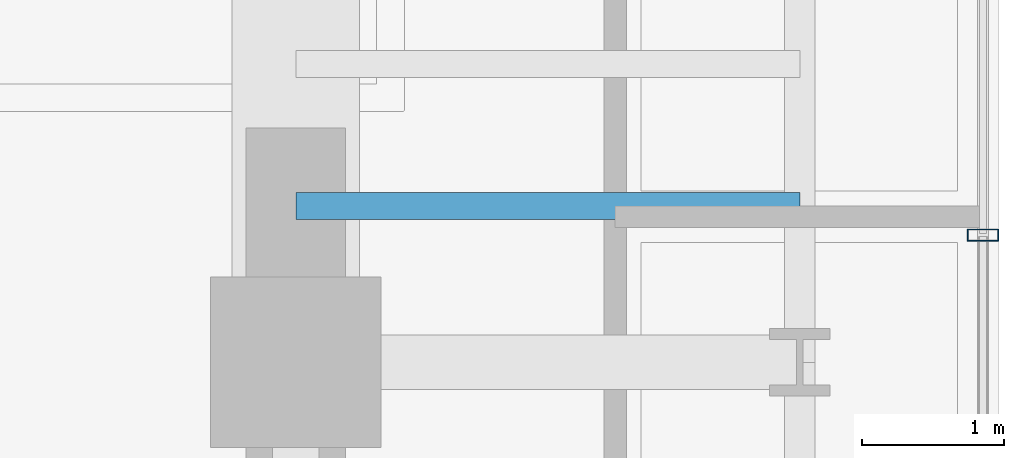
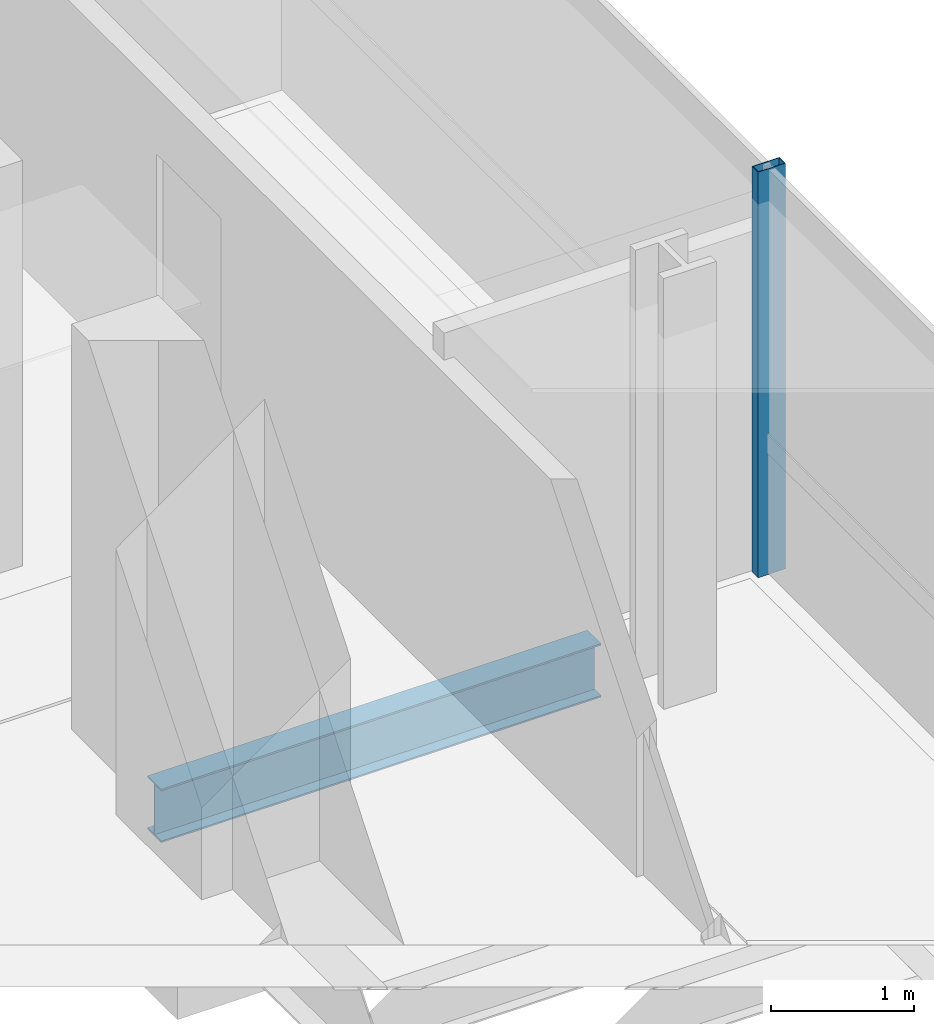
# One storey, part 12 of 35: 1 beam, 1 member, 1 element without a shape of its own.
"""IFC4 building model written with IfcOpenShell, lengths in metres."""

from ifc_helpers import new_model, si_unit, direction, frame, origin, origin_2d, place, context, subcontext, project, spatial, hollow_rectangle, i_section, extrude, source, transform, mapped, material, material_profile, profile_set, type_object, element, aggregate, save


model = new_model("IFC4")

# Units and contexts
model_context = context("Model", 3, precision=1e-05, world=origin(), true_north=direction((0.0, 1.0)))
body_context = subcontext(model_context, "Body", "Model", "MODEL_VIEW")
ifc_project = project(units=[si_unit("LENGTHUNIT", "METRE"), si_unit("AREAUNIT", "SQUARE_METRE"), si_unit("VOLUMEUNIT", "CUBIC_METRE"), si_unit("PLANEANGLEUNIT", "RADIAN"), si_unit("MASSUNIT", "GRAM", prefix="KILO")], contexts=[model_context])

# Site, building, storey
site_placement = place(None, origin())
site = spatial("IfcSite", under=ifc_project, at=site_placement, CompositionType="ELEMENT")
building_placement = place(site_placement, origin())
building = spatial("IfcBuilding", under=site, at=building_placement, Name="Valdorenza Pilgrim Sanctuary Tower", CompositionType="ELEMENT")
storey_placement = place(building_placement, frame((0.0, 0.0, 139.0)))
storey = spatial("IfcBuildingStorey", under=building, at=storey_placement, Name="L35", CompositionType="ELEMENT", Elevation=139.0)

# Beam
ifc_material_1 = material(Name="Steel ASTM A992 Grade 50", Category="steel")
ifc_material_profile_1 = material_profile(ifc_material_1, i_section(OverallWidth=0.19091796875, OverallDepth=0.45703125, WebThickness=0.009033203125, FlangeThickness=0.014404296875, at=origin_2d()), Name="W18X50")
ifc_profile_set_1 = profile_set([ifc_material_profile_1], Name="Steel ASTM A992 Grade 50")
beam_type = type_object("IfcBeamType", Name="STR-BM-JST-W18B", PredefinedType="JOIST", material=ifc_profile_set_1)
shared_shape_1 = source(origin(), body_context, "Body", "SweptSolid", [
    extrude(i_section(OverallWidth=0.19091796875, OverallDepth=0.45703125, WebThickness=0.009033203125, FlangeThickness=0.014404296875, at=origin_2d()), origin(), (0.0, 0.0, 1.0), 3.5498046875),
])
beam_placement = place(storey_placement, frame((24.85009765625, -1.5, -0.468505859375), z_axis=(1.0, 0.0, 0.0), x_axis=(0.0, 1.0, 0.0)))
element("IfcBeam", 1, at=beam_placement, inside=storey, type_object=beam_type, Name="L35 Composite Floor Joist JST-WB-8", PredefinedType="JOIST", context=body_context, shape_type="MappedRepresentation", body=[
    mapped(shared_shape_1, transform((0.0, 0.0, 0.0), x_axis=(1.0, 0.0, 0.0), y_axis=(0.0, 1.0, 0.0), z_axis=(0.0, 0.0, 1.0), scale=1.0)),
])

# Curtain wall, member
ifc_material_2 = material(Name="Curtain-wall IGU glazing", Category="glass")
curtain_wall_type = type_object("IfcCurtainWallType", Name="CW-SYS-03", PredefinedType="NOTDEFINED", material=ifc_material_2)
curtain_wall_placement = place(storey_placement, origin())
curtain_wall = element("IfcCurtainWall", 2, at=curtain_wall_placement, inside=storey, type_object=curtain_wall_type, Name="L35 Curtain Wall CW-L35-1-21", PredefinedType="NOTDEFINED")
ifc_material_3 = material(Name="Anodised aluminium AW-6060", Category="aluminium")
ifc_material_profile_2 = material_profile(ifc_material_3, hollow_rectangle(XDim=0.0849609375, YDim=0.219970703125, WallThickness=0.0048828125, at=origin_2d()), Name="ALU-M 220x85x5")
ifc_profile_set_2 = profile_set([ifc_material_profile_2], Name="Anodised aluminium AW-6060")
member_type = type_object("IfcMemberType", Name="CW-MUL-03", PredefinedType="MULLION", material=ifc_profile_set_2)
shared_shape_2 = source(origin(), body_context, "Body", "SweptSolid", [
    extrude(hollow_rectangle(XDim=0.0849609375, YDim=0.219970703125, WallThickness=0.0048828125, at=origin_2d()), origin(), (0.0, 0.0, 1.0), 3.4599609375),
])
member_placement = place(storey_placement, frame((29.68994140625, -1.7041015625, 0.0), z_axis=(0.0, 0.0, 1.0), x_axis=(0.0, -1.0, 0.0)))
member = element("IfcMember", 3, at=member_placement, type_object=member_type, Name="CW-L35-1-21 Mullion 3", PredefinedType="MULLION", context=body_context, shape_type="MappedRepresentation", body=[
    mapped(shared_shape_2, transform((0.0, 0.0, 0.0), x_axis=(1.0, 0.0, 0.0), y_axis=(0.0, 1.0, 0.0), z_axis=(0.0, 0.0, 1.0), scale=1.0)),
])
aggregate(curtain_wall, [member])

save(model, "model.ifc")
